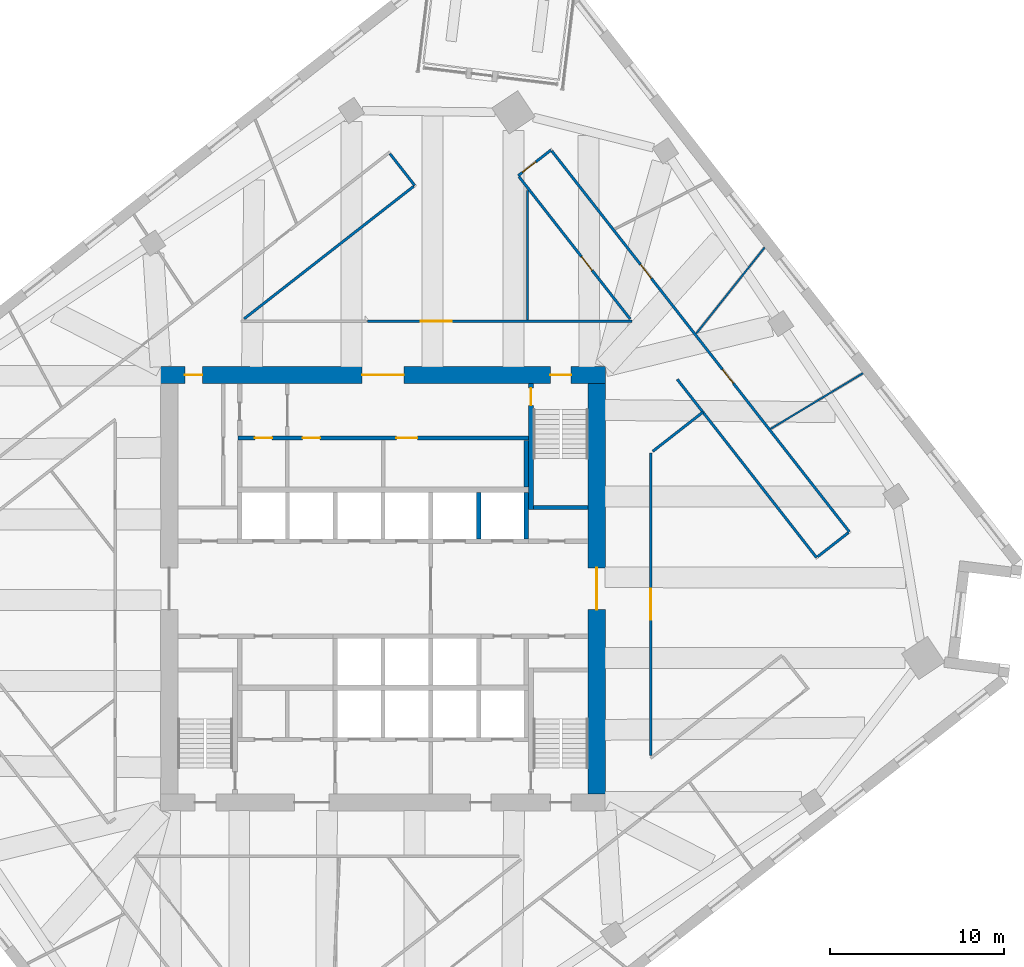
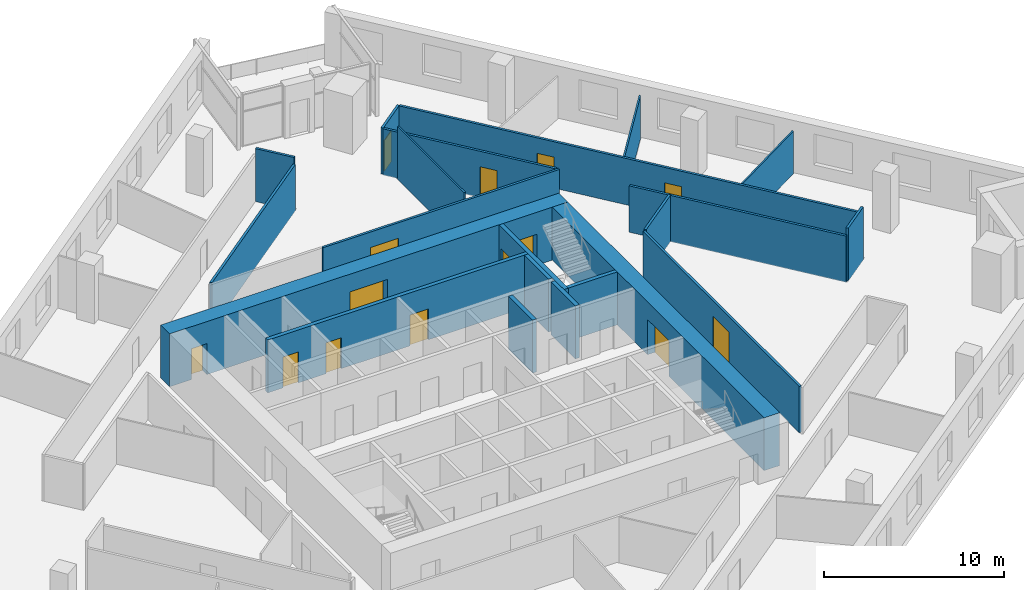
# One storey, part 8 of 11: 21 walls, 14 doors, 14 openings.
"""IFC4 building model written with IfcOpenShell, lengths in metres."""

from ifc_helpers import new_model, si_unit, direction, frame, frame_2d, origin, place, context, subcontext, project, spatial, rectangle, extrude, material, layer, layer_set, type_object, element, fill, save


model = new_model("IFC4")

# Units and contexts
model_context = context("Model", 3, precision=1e-05, world=origin(), true_north=direction((0.0, 1.0)))
body_context = subcontext(model_context, "Body", "Model", "MODEL_VIEW")
ifc_project = project(units=[si_unit("LENGTHUNIT", "METRE"), si_unit("AREAUNIT", "SQUARE_METRE"), si_unit("VOLUMEUNIT", "CUBIC_METRE"), si_unit("PLANEANGLEUNIT", "RADIAN"), si_unit("MASSUNIT", "GRAM", prefix="KILO")], contexts=[model_context])

# Site, building, storey
site_placement = place(None, origin())
site = spatial("IfcSite", under=ifc_project, at=site_placement, CompositionType="ELEMENT")
building_placement = place(site_placement, origin())
building = spatial("IfcBuilding", under=site, at=building_placement, Name="Dilmun Exchange Tower", CompositionType="ELEMENT")
storey_placement = place(building_placement, frame((0.0, 0.0, 175.699951171875)))
storey = spatial("IfcBuildingStorey", under=building, at=storey_placement, Name="L41", CompositionType="ELEMENT", Elevation=175.699951171875)

# Wall
ifc_material_1 = material(Name="Concrete C40/50", Category="concrete")
ifc_layer_1 = layer(ifc_material_1, 0.25)
ifc_layer_set_1 = layer_set([ifc_layer_1], Name="Concrete C40/50")
wall_type_1 = type_object("IfcWallType", Name="Core partition wall 250", PredefinedType="PARTITIONING", material=ifc_layer_set_1)
wall_1_placement = place(storey_placement, frame((8.25, 5.85498046875, 0.0), z_axis=(0.0, 0.0, 1.0), x_axis=(0.0, 1.0, 0.0)))
element("IfcWall", 1, at=wall_1_placement, inside=storey, type_object=wall_type_1, Name="L41 core partition wall 19", PredefinedType="PARTITIONING", context=body_context, shape_type="SweptSolid", body=[
    extrude(rectangle(XDim=2.68994140625, YDim=0.25, at=frame_2d((1.344970703125, 0.0))), origin(), (0.0, 0.0, 1.0), 3.60009765625),
])

# Wall, openings, doors
wall_2_placement = place(storey_placement, frame((-8.35009765625, 8.675048828125, 0.0), z_axis=(0.0, 0.0, 1.0), x_axis=(1.0, 0.0, 0.0)))
wall_2 = element("IfcWall", 2, at=wall_2_placement, inside=storey, type_object=wall_type_1, Name="L41 core partition wall 20", PredefinedType="PARTITIONING", context=body_context, shape_type="SweptSolid", body=[
    extrude(rectangle(XDim=16.72021484375, YDim=0.25, at=frame_2d((8.360107421875, 0.0))), origin(), (0.0, 0.0, 1.0), 3.60009765625),
])
opening_1_placement = place(wall_2_placement, frame((0.97509765625, 0.0, 0.0)))
opening_1 = element("IfcOpeningElement", 3, at=opening_1_placement, cuts=wall_2, Name="Opening CD4", PredefinedType="OPENING", context=body_context, shape_type="SweptSolid", body=[
    extrude(rectangle(XDim=1.0, YDim=2.10009765625, at=frame_2d((0.5, 1.050048828125))), frame((0.0, 0.135009765625, 0.0), z_axis=(0.0, -1.0, 0.0), x_axis=(1.0, 0.0, 0.0)), (0.0, 0.0, 1.0), 0.27001953125),
])
opening_2_placement = place(wall_2_placement, frame((3.72509765625, 0.0, 0.0)))
opening_2 = element("IfcOpeningElement", 4, at=opening_2_placement, cuts=wall_2, Name="Opening CD4", PredefinedType="OPENING", context=body_context, shape_type="SweptSolid", body=[
    extrude(rectangle(XDim=1.0, YDim=2.10009765625, at=frame_2d((0.5, 1.050048828125))), frame((0.0, 0.135009765625, 0.0), z_axis=(0.0, -1.0, 0.0), x_axis=(1.0, 0.0, 0.0)), (0.0, 0.0, 1.0), 0.27001953125),
])
opening_3_placement = place(wall_2_placement, frame((9.125, 0.0, 0.0)))
opening_3 = element("IfcOpeningElement", 5, at=opening_3_placement, cuts=wall_2, Name="Opening CD3", PredefinedType="OPENING", context=body_context, shape_type="SweptSolid", body=[
    extrude(rectangle(XDim=1.199951171875, YDim=2.10009765625, at=frame_2d((0.60009765625, 1.050048828125))), frame((0.0, 0.135009765625, 0.0), z_axis=(0.0, -1.0, 0.0), x_axis=(1.0, 0.0, 0.0)), (0.0, 0.0, 1.0), 0.27001953125),
])
ifc_material_2 = material(Name="Fire-rated steel door set", Category="steel")
door_type_1 = type_object("IfcDoorType", Name="Core room door 1000x2100", OperationType="SINGLE_SWING_LEFT", PredefinedType="DOOR", material=ifc_material_2)
door_1_placement = place(opening_1_placement, origin())
door_1 = element("IfcDoor", 6, at=door_1_placement, inside=storey, type_object=door_type_1, Name="L41 door Comms room", OperationType="SINGLE_SWING_RIGHT", OverallHeight=2.10009765625, OverallWidth=1.0, PredefinedType="DOOR", context=body_context, shape_type="SweptSolid", body=[
    extrude(rectangle(XDim=1.0, YDim=2.10009765625, at=frame_2d((0.5, 1.050048828125))), frame((0.0, 0.02490234375, 0.0), z_axis=(0.0, -1.0, 0.0), x_axis=(1.0, 0.0, 0.0)), (0.0, 0.0, 1.0), 0.050048828125),
])
fill(opening_1, door_1)
door_2_placement = place(opening_2_placement, origin())
door_2 = element("IfcDoor", 7, at=door_2_placement, inside=storey, type_object=door_type_1, Name="L41 door Print and mail room", OperationType="SINGLE_SWING_RIGHT", OverallHeight=2.10009765625, OverallWidth=1.0, PredefinedType="DOOR", context=body_context, shape_type="SweptSolid", body=[
    extrude(rectangle(XDim=1.0, YDim=2.10009765625, at=frame_2d((0.5, 1.050048828125))), frame((0.0, 0.02490234375, 0.0), z_axis=(0.0, -1.0, 0.0), x_axis=(1.0, 0.0, 0.0)), (0.0, 0.0, 1.0), 0.050048828125),
])
fill(opening_2, door_2)
door_type_2 = type_object("IfcDoorType", Name="Stair exit door 1200x2100", OperationType="SINGLE_SWING_LEFT", PredefinedType="DOOR", material=ifc_material_2)
door_3_placement = place(opening_3_placement, origin())
door_3 = element("IfcDoor", 8, at=door_3_placement, inside=storey, type_object=door_type_2, Name="L41 door Building management office", OperationType="SINGLE_SWING_LEFT", OverallHeight=2.10009765625, OverallWidth=1.199951171875, PredefinedType="DOOR", context=body_context, shape_type="SweptSolid", body=[
    extrude(rectangle(XDim=1.199951171875, YDim=2.10009765625, at=frame_2d((0.60009765625, 1.050048828125))), frame((0.0, 0.02490234375, 0.0), z_axis=(0.0, -1.0, 0.0), x_axis=(1.0, 0.0, 0.0)), (0.0, 0.0, 1.0), 0.050048828125),
])
fill(opening_3, door_3)

ifc_material_3 = material(Name="Concrete C70/85", Category="concrete")
ifc_layer_2 = layer(ifc_material_3, 1.0)
ifc_layer_set_2 = layer_set([ifc_layer_2], Name="Concrete C70/85")
wall_type_2 = type_object("IfcWallType", Name="Core shear wall 1000 Concrete C70/85", PredefinedType="SHEAR", material=ifc_layer_set_2)
wall_3_placement = place(storey_placement, frame((-12.800048828125, 12.300048828125, 0.0), z_axis=(0.0, 0.0, 1.0), x_axis=(1.0, 0.0, 0.0)))
wall_3 = element("IfcWall", 9, at=wall_3_placement, inside=storey, type_object=wall_type_2, Name="L41 core shear wall N", PredefinedType="SHEAR", context=body_context, shape_type="SweptSolid", body=[
    extrude(rectangle(XDim=25.60009765625, YDim=1.0, at=frame_2d((12.800048828125, 0.0))), origin(), (0.0, 0.0, 1.0), 3.60009765625),
])
opening_4_placement = place(wall_3_placement, frame((11.60009765625, 0.0, 0.0)))
opening_4 = element("IfcOpeningElement", 10, at=opening_4_placement, cuts=wall_3, Name="Opening CD1", PredefinedType="OPENING", context=body_context, shape_type="SweptSolid", body=[
    extrude(rectangle(XDim=2.39990234375, YDim=2.39990234375, at=frame_2d((1.199951171875, 1.199951171875))), frame((0.0, 0.510009765625, 0.0), z_axis=(0.0, -1.0, 0.0), x_axis=(1.0, 0.0, 0.0)), (0.0, 0.0, 1.0), 1.02001953125),
])
opening_5_placement = place(wall_3_placement, frame((22.425048828125, 0.0, 0.0)))
opening_5 = element("IfcOpeningElement", 11, at=opening_5_placement, cuts=wall_3, Name="Opening CD3", PredefinedType="OPENING", context=body_context, shape_type="SweptSolid", body=[
    extrude(rectangle(XDim=1.199951171875, YDim=2.10009765625, at=frame_2d((0.60009765625, 1.050048828125))), frame((0.0, 0.510009765625, 0.0), z_axis=(0.0, -1.0, 0.0), x_axis=(1.0, 0.0, 0.0)), (0.0, 0.0, 1.0), 1.02001953125),
])
opening_6_placement = place(wall_3_placement, frame((1.39990234375, 0.0, 0.0)))
opening_6 = element("IfcOpeningElement", 12, at=opening_6_placement, cuts=wall_3, Name="Opening CD4", PredefinedType="OPENING", context=body_context, shape_type="SweptSolid", body=[
    extrude(rectangle(XDim=1.0, YDim=2.10009765625, at=frame_2d((0.5, 1.050048828125))), frame((0.0, 0.510009765625, 0.0), z_axis=(0.0, -1.0, 0.0), x_axis=(1.0, 0.0, 0.0)), (0.0, 0.0, 1.0), 1.02001953125),
])
door_type_3 = type_object("IfcDoorType", Name="Core lobby door 2400x2400", OperationType="DOUBLE_DOOR_DOUBLE_SWING", PredefinedType="DOOR", material=ifc_material_2)
door_4_placement = place(opening_4_placement, origin())
door_4 = element("IfcDoor", 13, at=door_4_placement, inside=storey, type_object=door_type_3, Name="L41 door North lift lobby", OperationType="SINGLE_SWING_LEFT", OverallHeight=2.39990234375, OverallWidth=2.39990234375, PredefinedType="DOOR", context=body_context, shape_type="SweptSolid", body=[
    extrude(rectangle(XDim=2.39990234375, YDim=2.39990234375, at=frame_2d((1.199951171875, 1.199951171875))), frame((0.0, 0.02490234375, 0.0), z_axis=(0.0, -1.0, 0.0), x_axis=(1.0, 0.0, 0.0)), (0.0, 0.0, 1.0), 0.050048828125),
])
fill(opening_4, door_4)
door_5_placement = place(opening_6_placement, origin())
door_5 = element("IfcDoor", 14, at=door_5_placement, inside=storey, type_object=door_type_1, Name="L41 door North-west core rooms", OperationType="SINGLE_SWING_LEFT", OverallHeight=2.10009765625, OverallWidth=1.0, PredefinedType="DOOR", context=body_context, shape_type="SweptSolid", body=[
    extrude(rectangle(XDim=1.0, YDim=2.10009765625, at=frame_2d((0.5, 1.050048828125))), frame((0.0, 0.02490234375, 0.0), z_axis=(0.0, -1.0, 0.0), x_axis=(1.0, 0.0, 0.0)), (0.0, 0.0, 1.0), 0.050048828125),
])
fill(opening_6, door_5)
door_6_placement = place(opening_5_placement, origin())
door_6 = element("IfcDoor", 15, at=door_6_placement, inside=storey, type_object=door_type_2, Name="L41 door Stair ST1", OperationType="SINGLE_SWING_LEFT", OverallHeight=2.10009765625, OverallWidth=1.199951171875, PredefinedType="DOOR", context=body_context, shape_type="SweptSolid", body=[
    extrude(rectangle(XDim=1.199951171875, YDim=2.10009765625, at=frame_2d((0.60009765625, 1.050048828125))), frame((0.0, 0.02490234375, 0.0), z_axis=(0.0, -1.0, 0.0), x_axis=(1.0, 0.0, 0.0)), (0.0, 0.0, 1.0), 0.050048828125),
])
fill(opening_5, door_6)

# Wall, opening, door
wall_4_placement = place(storey_placement, frame((12.300048828125, -11.800048828125, 0.0), z_axis=(0.0, 0.0, 1.0), x_axis=(0.0, 1.0, 0.0)))
wall_4 = element("IfcWall", 16, at=wall_4_placement, inside=storey, type_object=wall_type_2, Name="L41 core shear wall E", PredefinedType="SHEAR", context=body_context, shape_type="SweptSolid", body=[
    extrude(rectangle(XDim=23.60009765625, YDim=1.0, at=frame_2d((11.800048828125, 0.0))), origin(), (0.0, 0.0, 1.0), 3.60009765625),
])
opening_7_placement = place(wall_4_placement, frame((10.60009765625, 0.0, 0.0)))
opening_7 = element("IfcOpeningElement", 17, at=opening_7_placement, cuts=wall_4, Name="Opening CD1", PredefinedType="OPENING", context=body_context, shape_type="SweptSolid", body=[
    extrude(rectangle(XDim=2.39990234375, YDim=2.39990234375, at=frame_2d((1.199951171875, 1.199951171875))), frame((0.0, 0.510009765625, 0.0), z_axis=(0.0, -1.0, 0.0), x_axis=(1.0, 0.0, 0.0)), (0.0, 0.0, 1.0), 1.02001953125),
])
door_7_placement = place(opening_7_placement, origin())
door_7 = element("IfcDoor", 18, at=door_7_placement, inside=storey, type_object=door_type_3, Name="L41 door Central lift lobby", OperationType="SINGLE_SWING_LEFT", OverallHeight=2.39990234375, OverallWidth=2.39990234375, PredefinedType="DOOR", context=body_context, shape_type="SweptSolid", body=[
    extrude(rectangle(XDim=2.39990234375, YDim=2.39990234375, at=frame_2d((1.199951171875, 1.199951171875))), frame((0.0, 0.02490234375, 0.0), z_axis=(0.0, -1.0, 0.0), x_axis=(1.0, 0.0, 0.0)), (0.0, 0.0, 1.0), 0.050048828125),
])
fill(opening_7, door_7)

# Wall
ifc_material_4 = material(Name="Corridor wall 150")
ifc_layer_3 = layer(ifc_material_4, 0.14990234375)
ifc_layer_set_3 = layer_set([ifc_layer_3], Name="Corridor wall 150")
wall_type_3 = type_object("IfcWallType", Name="Corridor wall 150", PredefinedType="PARTITIONING", material=ifc_layer_set_3)
wall_5_placement = place(storey_placement, frame((-7.9912109375, 15.5341796875, 0.0), z_axis=(0.0, 0.0, 1.0), x_axis=(0.788030651404, 0.615636006459, 0.0)))
element("IfcWall", 19, at=wall_5_placement, inside=storey, type_object=wall_type_3, Name="Corridor wall", PredefinedType="PARTITIONING", context=body_context, shape_type="SweptSolid", body=[
    extrude(rectangle(XDim=12.381591796875, YDim=0.14990234375, at=frame_2d((6.19091796875, 0.0))), origin(), (0.0, 0.0, 1.0), 3.150146484375),
])

# Wall, opening, door
wall_6_placement = place(storey_placement, frame((-0.889892578125, 15.39990234375, 0.0), z_axis=(0.0, 0.0, 1.0), x_axis=(1.0, 0.0, 0.0)))
wall_6 = element("IfcWall", 20, at=wall_6_placement, inside=storey, type_object=wall_type_3, Name="Corridor wall", PredefinedType="PARTITIONING", context=body_context, shape_type="SweptSolid", body=[
    extrude(rectangle(XDim=15.203857421875, YDim=0.14990234375, at=frame_2d((7.60205078125, 0.0))), origin(), (0.0, 0.0, 1.0), 3.150146484375),
])
opening_8_placement = place(wall_6_placement, frame((3.050048828125, 0.0, 0.0)))
opening_8 = element("IfcOpeningElement", 21, at=opening_8_placement, cuts=wall_6, Name="Opening TF41-D13", PredefinedType="OPENING", context=body_context, shape_type="SweptSolid", body=[
    extrude(rectangle(XDim=1.800048828125, YDim=2.10009765625, at=frame_2d((0.89990234375, 1.050048828125))), frame((0.0, 0.0849609375, 0.0), z_axis=(0.0, -1.0, 0.0), x_axis=(1.0, 0.0, 0.0)), (0.0, 0.0, 1.0), 0.169921875),
])
ifc_material_5 = material(Name="Fire door pair 1800 x 2100")
door_type_4 = type_object("IfcDoorType", Name="Fire door pair 1800 x 2100", OperationType="NOTDEFINED", PredefinedType="DOOR", material=ifc_material_5)
door_8_placement = place(opening_8_placement, origin())
door_8 = element("IfcDoor", 22, at=door_8_placement, inside=storey, type_object=door_type_4, Name="Door TF41-D13", OperationType="DOUBLE_DOOR_SINGLE_SWING", OverallHeight=2.10009765625, OverallWidth=1.800048828125, PredefinedType="DOOR", context=body_context, shape_type="SweptSolid", body=[
    extrude(rectangle(XDim=1.800048828125, YDim=2.10009765625, at=frame_2d((0.89990234375, 1.050048828125))), frame((0.0, 0.02490234375, 0.0), z_axis=(0.0, -1.0, 0.0), x_axis=(1.0, 0.0, 0.0)), (0.0, 0.0, 1.0), 0.050048828125),
])
fill(opening_8, door_8)

# Wall
wall_7_placement = place(storey_placement, frame((0.394287109375, 25.035888671875, 0.0), z_axis=(0.0, 0.0, 1.0), x_axis=(0.615277221136, -0.788310815067, 0.0)))
element("IfcWall", 23, at=wall_7_placement, inside=storey, type_object=wall_type_3, Name="Corridor wall", PredefinedType="PARTITIONING", context=body_context, shape_type="SweptSolid", body=[
    extrude(rectangle(XDim=2.3251953125, YDim=0.14990234375, at=frame_2d((1.16259765625, 0.0))), origin(), (0.0, 0.0, 1.0), 3.60009765625),
])

# Wall, opening, door
wall_8_placement = place(storey_placement, frame((7.77587890625, 23.76904296875, 0.0), z_axis=(0.0, 0.0, 1.0), x_axis=(0.788101492335, 0.615545317406, 0.0)))
wall_8 = element("IfcWall", 24, at=wall_8_placement, inside=storey, type_object=wall_type_3, Name="Corridor wall", PredefinedType="PARTITIONING", context=body_context, shape_type="SweptSolid", body=[
    extrude(rectangle(XDim=2.399658203125, YDim=0.14990234375, at=frame_2d((1.19970703125, 0.0))), origin(), (0.0, 0.0, 1.0), 3.150146484375),
])
opening_9_placement = place(wall_8_placement, frame((0.300048828125, 0.0, 0.0)))
opening_9 = element("IfcOpeningElement", 25, at=opening_9_placement, cuts=wall_8, Name="Opening TF41-D14", PredefinedType="OPENING", context=body_context, shape_type="SweptSolid", body=[
    extrude(rectangle(XDim=1.0, YDim=2.10009765625, at=frame_2d((0.5, 1.050048828125))), frame((0.0, 0.0849609375, 0.0), z_axis=(0.0, -1.0, 0.0), x_axis=(1.0, 0.0, 0.0)), (0.0, 0.0, 1.0), 0.169921875),
])
ifc_material_6 = material(Name="Fire door 1000 x 2100")
door_type_5 = type_object("IfcDoorType", Name="Fire door 1000 x 2100", OperationType="NOTDEFINED", PredefinedType="DOOR", material=ifc_material_6)
door_9_placement = place(opening_9_placement, origin())
door_9 = element("IfcDoor", 26, at=door_9_placement, inside=storey, type_object=door_type_5, Name="Door TF41-D14", OperationType="SINGLE_SWING_LEFT", OverallHeight=2.10009765625, OverallWidth=1.0, PredefinedType="DOOR", context=body_context, shape_type="SweptSolid", body=[
    extrude(rectangle(XDim=1.0, YDim=2.10009765625, at=frame_2d((0.5, 1.050048828125))), frame((0.0, 0.02490234375, 0.0), z_axis=(0.0, -1.0, 0.0), x_axis=(1.0, 0.0, 0.0)), (0.0, 0.0, 1.0), 0.050048828125),
])
fill(opening_9, door_9)

wall_9_placement = place(storey_placement, frame((7.822265625, 23.7099609375, 0.0), z_axis=(0.0, 0.0, 1.0), x_axis=(0.615616229425, -0.788046101487, 0.0)))
wall_9 = element("IfcWall", 27, at=wall_9_placement, inside=storey, type_object=wall_type_3, Name="Corridor wall", PredefinedType="PARTITIONING", context=body_context, shape_type="SweptSolid", body=[
    extrude(rectangle(XDim=10.39111328125, YDim=0.14990234375, at=frame_2d((5.195556640625, 0.0))), origin(), (0.0, 0.0, 1.0), 3.150146484375),
])
opening_10_placement = place(wall_9_placement, frame((5.83935546875, 0.0, 0.0)))
opening_10 = element("IfcOpeningElement", 28, at=opening_10_placement, cuts=wall_9, Name="Opening TF41-D15", PredefinedType="OPENING", context=body_context, shape_type="SweptSolid", body=[
    extrude(rectangle(XDim=1.0, YDim=2.10009765625, at=frame_2d((0.5, 1.050048828125))), frame((0.0, 0.0849609375, 0.0), z_axis=(0.0, -1.0, 0.0), x_axis=(1.0, 0.0, 0.0)), (0.0, 0.0, 1.0), 0.169921875),
])
door_10_placement = place(opening_10_placement, frame((1.0, 0.0, 0.0), z_axis=(0.0, 0.0, 1.0), x_axis=(-1.0, 0.0, 0.0)))
door_10 = element("IfcDoor", 29, at=door_10_placement, inside=storey, type_object=door_type_5, Name="Door TF41-D15", OperationType="SINGLE_SWING_LEFT", OverallHeight=2.10009765625, OverallWidth=1.0, PredefinedType="DOOR", context=body_context, shape_type="SweptSolid", body=[
    extrude(rectangle(XDim=1.0, YDim=2.10009765625, at=frame_2d((0.5, 1.050048828125))), frame((0.0, 0.02490234375, 0.0), z_axis=(0.0, -1.0, 0.0), x_axis=(1.0, 0.0, 0.0)), (0.0, 0.0, 1.0), 0.050048828125),
])
fill(opening_10, door_10)

# Wall, openings, doors
wall_10_placement = place(storey_placement, frame((9.713134765625, 25.18701171875, 0.0), z_axis=(0.0, 0.0, 1.0), x_axis=(0.615659714696, -0.788012129158, 0.0)))
wall_10 = element("IfcWall", 30, at=wall_10_placement, inside=storey, type_object=wall_type_3, Name="Corridor wall", PredefinedType="PARTITIONING", context=body_context, shape_type="SweptSolid", body=[
    extrude(rectangle(XDim=27.810546875, YDim=0.14990234375, at=frame_2d((13.9052734375, 0.0))), origin(), (0.0, 0.0, 1.0), 3.150146484375),
])
opening_11_placement = place(wall_10_placement, frame((8.298583984375, 0.0, 0.0)))
opening_11 = element("IfcOpeningElement", 31, at=opening_11_placement, cuts=wall_10, Name="Opening TF41-D17", PredefinedType="OPENING", context=body_context, shape_type="SweptSolid", body=[
    extrude(rectangle(XDim=1.0, YDim=2.10009765625, at=frame_2d((0.5, 1.050048828125))), frame((0.0, 0.0849609375, 0.0), z_axis=(0.0, -1.0, 0.0), x_axis=(1.0, 0.0, 0.0)), (0.0, 0.0, 1.0), 0.169921875),
])
opening_12_placement = place(wall_10_placement, frame((15.950927734375, 0.0, 0.0)))
opening_12 = element("IfcOpeningElement", 32, at=opening_12_placement, cuts=wall_10, Name="Opening TF41-D18", PredefinedType="OPENING", context=body_context, shape_type="SweptSolid", body=[
    extrude(rectangle(XDim=1.0, YDim=2.10009765625, at=frame_2d((0.5, 1.050048828125))), frame((0.0, 0.0849609375, 0.0), z_axis=(0.0, -1.0, 0.0), x_axis=(1.0, 0.0, 0.0)), (0.0, 0.0, 1.0), 0.169921875),
])
door_11_placement = place(opening_11_placement, origin())
door_11 = element("IfcDoor", 33, at=door_11_placement, inside=storey, type_object=door_type_5, Name="Door TF41-D17", OperationType="SINGLE_SWING_RIGHT", OverallHeight=2.10009765625, OverallWidth=1.0, PredefinedType="DOOR", context=body_context, shape_type="SweptSolid", body=[
    extrude(rectangle(XDim=1.0, YDim=2.10009765625, at=frame_2d((0.5, 1.050048828125))), frame((0.0, 0.02490234375, 0.0), z_axis=(0.0, -1.0, 0.0), x_axis=(1.0, 0.0, 0.0)), (0.0, 0.0, 1.0), 0.050048828125),
])
fill(opening_11, door_11)
door_12_placement = place(opening_12_placement, origin())
door_12 = element("IfcDoor", 34, at=door_12_placement, inside=storey, type_object=door_type_5, Name="Door TF41-D18", OperationType="SINGLE_SWING_LEFT", OverallHeight=2.10009765625, OverallWidth=1.0, PredefinedType="DOOR", context=body_context, shape_type="SweptSolid", body=[
    extrude(rectangle(XDim=1.0, YDim=2.10009765625, at=frame_2d((0.5, 1.050048828125))), frame((0.0, 0.02490234375, 0.0), z_axis=(0.0, -1.0, 0.0), x_axis=(1.0, 0.0, 0.0)), (0.0, 0.0, 1.0), 0.050048828125),
])
fill(opening_12, door_12)

# Wall, opening, door
wall_11_placement = place(storey_placement, frame((15.39990234375, -9.59228515625, 0.0), z_axis=(0.0, 0.0, 1.0), x_axis=(0.0, 1.0, 0.0)))
wall_11 = element("IfcWall", 35, at=wall_11_placement, inside=storey, type_object=wall_type_3, Name="Corridor wall", PredefinedType="PARTITIONING", context=body_context, shape_type="SweptSolid", body=[
    extrude(rectangle(XDim=17.4052734375, YDim=0.14990234375, at=frame_2d((8.70263671875, 0.0))), origin(), (0.0, 0.0, 1.0), 3.150146484375),
])
opening_13_placement = place(wall_11_placement, frame((7.800048828125, 0.0, 0.0)))
opening_13 = element("IfcOpeningElement", 36, at=opening_13_placement, cuts=wall_11, Name="Opening TF41-D19", PredefinedType="OPENING", context=body_context, shape_type="SweptSolid", body=[
    extrude(rectangle(XDim=1.800048828125, YDim=2.10009765625, at=frame_2d((0.89990234375, 1.050048828125))), frame((0.0, 0.0849609375, 0.0), z_axis=(0.0, -1.0, 0.0), x_axis=(1.0, 0.0, 0.0)), (0.0, 0.0, 1.0), 0.169921875),
])
door_13_placement = place(opening_13_placement, frame((1.800048828125, 0.0, 0.0), z_axis=(0.0, 0.0, 1.0), x_axis=(-1.0, 0.0, 0.0)))
door_13 = element("IfcDoor", 37, at=door_13_placement, inside=storey, type_object=door_type_4, Name="Door TF41-D19", OperationType="DOUBLE_DOOR_SINGLE_SWING", OverallHeight=2.10009765625, OverallWidth=1.800048828125, PredefinedType="DOOR", context=body_context, shape_type="SweptSolid", body=[
    extrude(rectangle(XDim=1.800048828125, YDim=2.10009765625, at=frame_2d((0.89990234375, 1.050048828125))), frame((0.0, 0.02490234375, 0.0), z_axis=(0.0, -1.0, 0.0), x_axis=(1.0, 0.0, 0.0)), (0.0, 0.0, 1.0), 0.050048828125),
])
fill(opening_13, door_13)

# Walls
wall_12_placement = place(storey_placement, frame((15.521240234375, 7.90771484375, 0.0), z_axis=(0.0, 0.0, 1.0), x_axis=(0.787935399888, 0.615757911524, 0.0)))
element("IfcWall", 38, at=wall_12_placement, inside=storey, type_object=wall_type_3, Name="Corridor wall", PredefinedType="PARTITIONING", context=body_context, shape_type="SweptSolid", body=[
    extrude(rectangle(XDim=3.6611328125, YDim=0.14990234375, at=frame_2d((1.83056640625, 0.0))), origin(), (0.0, 0.0, 1.0), 3.150146484375),
])
wall_13_placement = place(storey_placement, frame((16.928955078125, 12.052978515625, 0.0), z_axis=(0.0, 0.0, 1.0), x_axis=(0.615693171882, -0.787985988516, 0.0)))
element("IfcWall", 39, at=wall_13_placement, inside=storey, type_object=wall_type_3, Name="Corridor wall", PredefinedType="PARTITIONING", context=body_context, shape_type="SweptSolid", body=[
    extrude(rectangle(XDim=13.01806640625, YDim=0.14990234375, at=frame_2d((6.509033203125, 0.0))), origin(), (0.0, 0.0, 1.0), 3.150146484375),
])
wall_14_placement = place(storey_placement, frame((25.003173828125, 1.84130859375, 0.0), z_axis=(0.0, 0.0, 1.0), x_axis=(0.788111579875, 0.6155324018, 0.0)))
element("IfcWall", 40, at=wall_14_placement, inside=storey, type_object=wall_type_3, Name="Corridor wall", PredefinedType="PARTITIONING", context=body_context, shape_type="SweptSolid", body=[
    extrude(rectangle(XDim=2.249267578125, YDim=0.14990234375, at=frame_2d((1.12451171875, 0.0))), origin(), (0.0, 0.0, 1.0), 3.60009765625),
])
ifc_layer_4 = layer(ifc_material_1, 0.25)
ifc_layer_set_4 = layer_set([ifc_layer_4], Name="Concrete C40/50")
wall_type_4 = type_object("IfcWallType", Name="Lift shaft wall 250", PredefinedType="SOLIDWALL", material=ifc_layer_set_4)
for number, where, z_axis, x_axis, name in (
    (41, (5.5, 2.85009765625, 0.0), (0.0, 0.0, 1.0), (0.0, 1.0, 0.0), "L41 lift shaft divider N15"),
    (42, (8.25, 2.85009765625, 0.0), (0.0, 0.0, 1.0), (0.0, 1.0, 0.0), "L41 lift shaft divider N16"),
):
    element("IfcWall", number, at=place(storey_placement, frame(where, z_axis=z_axis, x_axis=x_axis)), inside=storey, type_object=wall_type_4, Name=name, PredefinedType="SOLIDWALL", context=body_context, shape_type="SweptSolid", body=[
        extrude(rectangle(XDim=2.699951171875, YDim=0.25, at=frame_2d((1.35009765625, 0.0))), origin(), (0.0, 0.0, 1.0), 3.60009765625),
    ])
ifc_material_7 = material(Name="Partition 100")
ifc_layer_5 = layer(ifc_material_7, 0.10009765625)
ifc_layer_set_5 = layer_set([ifc_layer_5], Name="Partition 100")
wall_type_5 = type_object("IfcWallType", Name="Partition 100", PredefinedType="PARTITIONING", material=ifc_layer_set_5)
wall_15_placement = place(storey_placement, frame((8.30810546875, 15.47509765625, 0.0), z_axis=(0.0, 0.0, 1.0), x_axis=(0.0, 1.0, 0.0)))
element("IfcWall", 43, at=wall_15_placement, inside=storey, type_object=wall_type_5, Name="Partition", PredefinedType="PARTITIONING", context=body_context, shape_type="SweptSolid", body=[
    extrude(rectangle(XDim=7.427001953125, YDim=0.10009765625, at=frame_2d((3.71337890625, 0.0))), origin(), (0.0, 0.0, 1.0), 3.60009765625),
])
wall_16_placement = place(storey_placement, frame((18.025390625, 14.688720703125, 0.0), z_axis=(0.0, 0.0, 1.0), x_axis=(0.622051275171, 0.782976507348, 0.0)))
element("IfcWall", 44, at=wall_16_placement, inside=storey, type_object=wall_type_5, Name="Partition", PredefinedType="PARTITIONING", context=body_context, shape_type="SweptSolid", body=[
    extrude(rectangle(XDim=6.326416015625, YDim=0.10009765625, at=frame_2d((3.1630859375, 0.0))), origin(), (0.0, 0.0, 1.0), 2.900146484375),
])
wall_17_placement = place(storey_placement, frame((22.304931640625, 9.2021484375, 0.0), z_axis=(0.0, 0.0, 1.0), x_axis=(0.856511778294, 0.516127478095, 0.0)))
element("IfcWall", 45, at=wall_17_placement, inside=storey, type_object=wall_type_5, Name="Partition", PredefinedType="PARTITIONING", context=body_context, shape_type="SweptSolid", body=[
    extrude(rectangle(XDim=6.201416015625, YDim=0.10009765625, at=frame_2d((3.1005859375, 0.0))), origin(), (0.0, 0.0, 1.0), 2.900146484375),
])
ifc_layer_6 = layer(ifc_material_1, 0.25)
ifc_layer_set_6 = layer_set([ifc_layer_6], Name="Concrete C40/50")
wall_type_6 = type_object("IfcWallType", Name="Stair end wall 250", PredefinedType="SOLIDWALL", material=ifc_layer_set_6)
wall_18_placement = place(storey_placement, frame((8.64990234375, 4.675048828125, 0.0), z_axis=(0.0, 0.0, 1.0), x_axis=(1.0, 0.0, 0.0)))
element("IfcWall", 46, at=wall_18_placement, inside=storey, type_object=wall_type_6, Name="L41 ST1 far wall", PredefinedType="SOLIDWALL", context=body_context, shape_type="SweptSolid", body=[
    extrude(rectangle(XDim=3.150146484375, YDim=0.25, at=frame_2d((1.5751953125, 0.0))), origin(), (0.0, 0.0, 1.0), 3.60009765625),
])

# Wall, opening, door
ifc_layer_7 = layer(ifc_material_1, 0.27490234375)
ifc_layer_set_7 = layer_set([ifc_layer_7], Name="Concrete C40/50")
wall_type_7 = type_object("IfcWallType", Name="Stair wall 275", PredefinedType="SOLIDWALL", material=ifc_layer_set_7)
wall_19_placement = place(storey_placement, frame((8.512451171875, 4.550048828125, 0.0), z_axis=(0.0, 0.0, 1.0), x_axis=(0.0, 1.0, 0.0)))
wall_19 = element("IfcWall", 47, at=wall_19_placement, inside=storey, type_object=wall_type_7, Name="L41 ST1 wall to lift block", PredefinedType="SOLIDWALL", context=body_context, shape_type="SweptSolid", body=[
    extrude(rectangle(XDim=7.25, YDim=0.27490234375, at=frame_2d((3.625, 0.0))), origin(), (0.0, 0.0, 1.0), 3.60009765625),
])
opening_14_placement = place(wall_19_placement, frame((6.0, 0.0, 0.0)))
opening_14 = element("IfcOpeningElement", 48, at=opening_14_placement, cuts=wall_19, Name="Opening CD4", PredefinedType="OPENING", context=body_context, shape_type="SweptSolid", body=[
    extrude(rectangle(XDim=1.0, YDim=2.10009765625, at=frame_2d((0.5, 1.050048828125))), frame((0.0, 0.1474609375, 0.0), z_axis=(0.0, -1.0, 0.0), x_axis=(1.0, 0.0, 0.0)), (0.0, 0.0, 1.0), 0.294921875),
])
door_14_placement = place(opening_14_placement, origin())
door_14 = element("IfcDoor", 49, at=door_14_placement, inside=storey, type_object=door_type_1, Name="L41 door ST1 from lobby", OperationType="SINGLE_SWING_LEFT", OverallHeight=2.10009765625, OverallWidth=1.0, PredefinedType="DOOR", context=body_context, shape_type="SweptSolid", body=[
    extrude(rectangle(XDim=1.0, YDim=2.10009765625, at=frame_2d((0.5, 1.050048828125))), frame((0.0, 0.02490234375, 0.0), z_axis=(0.0, -1.0, 0.0), x_axis=(1.0, 0.0, 0.0)), (0.0, 0.0, 1.0), 0.050048828125),
])
fill(opening_14, door_14)

save(model, "model.ifc")
